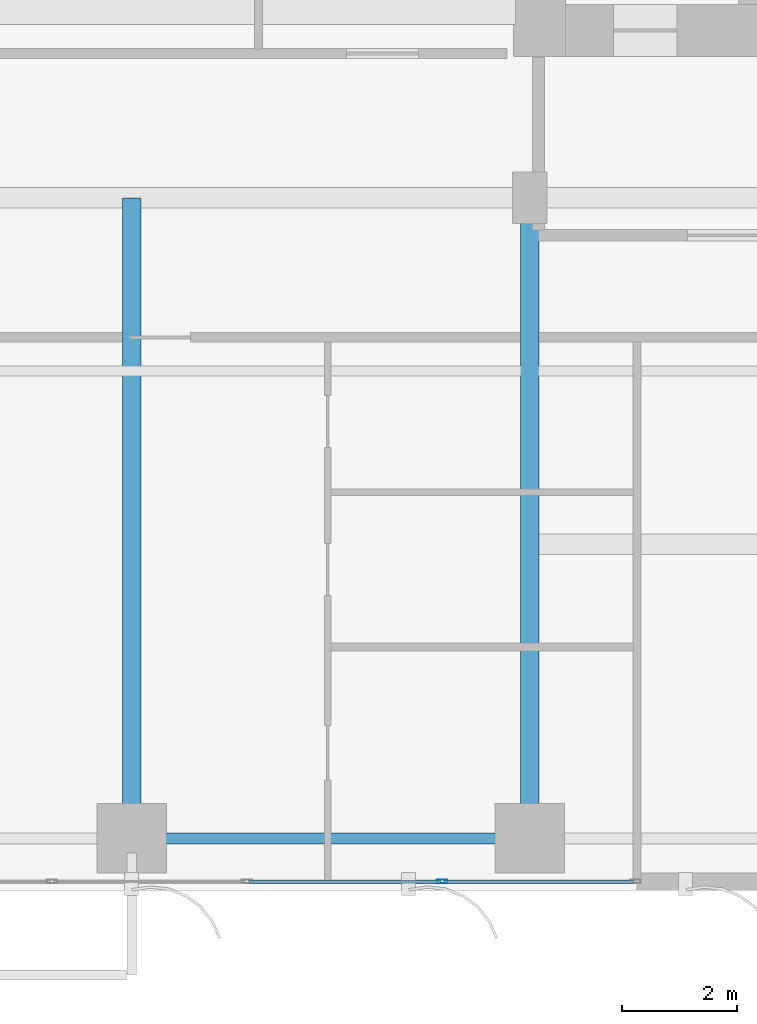
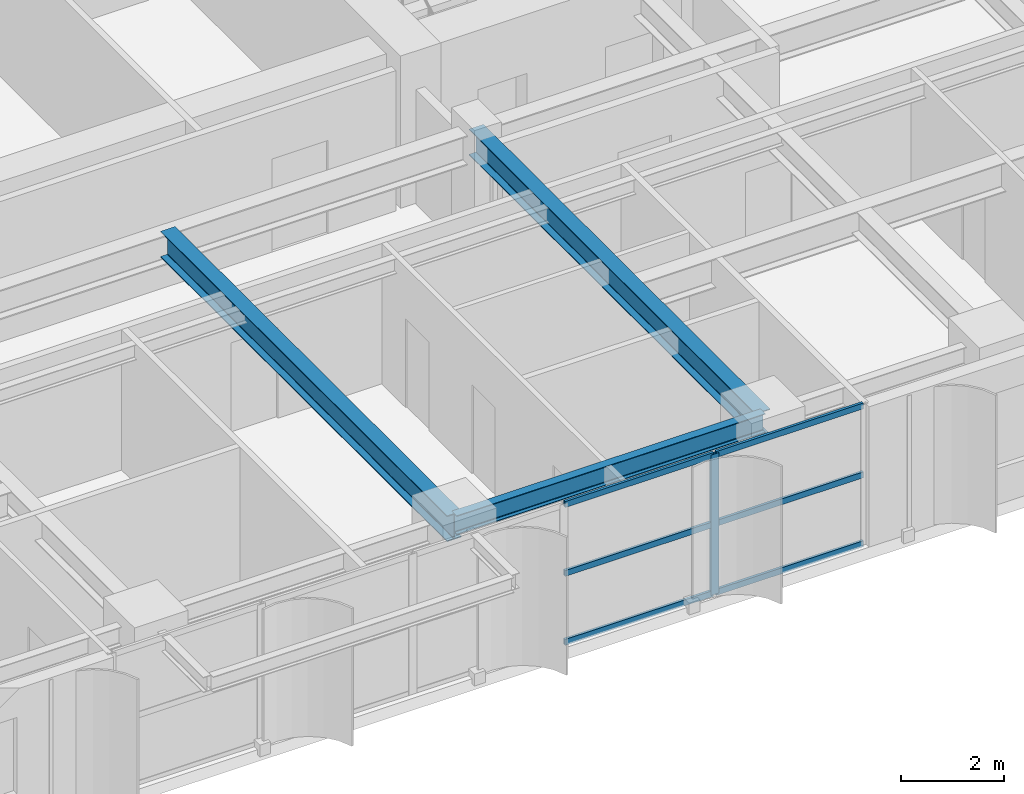
# One storey, part 3 of 25: 7 members, 3 beams, 1 element without a shape of its own.
"""IFC4 building model written with IfcOpenShell, lengths in metres."""

import ifcopenshell
import ifcopenshell.guid

model = None  # the IFC model being written
_history = None  # IfcOwnerHistory: only IFC2X3 demands one
_inside = {}  # id of a spatial element -> (the spatial element, [elements in it])
_under = {}  # id of a project, library or spatial element -> (it, [spatial elements below it])
_declared = {}  # id of a project -> (the project, [libraries it declares])
_typed = {}  # id of a type object -> (the type object, [elements of that type])
_made_of = {}  # id of a material, layer set ... -> (it, [elements and type objects made of it])


def new_model(schema):
    """Start an empty IFC model of exactly this schema.

    Asked for "IFC4X3", IfcOpenShell would pick the latest addendum, in which some entities
    have other attributes; the version numbers below select the first issue.
    IFC2X3 requires an IfcOwnerHistory on every rooted entity: one is made here for all.
    """
    global model, _history
    if schema == "IFC4X3":
        model = ifcopenshell.file(schema_version=(4, 3, 0, 0))
    else:
        model = ifcopenshell.file(schema=schema)
    _inside.clear()
    _under.clear()
    _declared.clear()
    _typed.clear()
    _made_of.clear()
    _history = None
    if model.schema == "IFC2X3":
        org = make("IfcOrganization", Name="unknown")
        user = make(
            "IfcPersonAndOrganization",
            ThePerson=make("IfcPerson", FamilyName="unknown"),
            TheOrganization=org,
        )
        app = make(
            "IfcApplication",
            ApplicationDeveloper=org,
            Version="unknown",
            ApplicationFullName="unknown",
            ApplicationIdentifier="unknown",
        )
        _history = make(
            "IfcOwnerHistory",
            OwningUser=user,
            OwningApplication=app,
            ChangeAction="ADDED",
            CreationDate=0,
        )
    return model


def make(cls, **values):
    """One entity of the class cls with the attributes given. An attribute that is None is left unset."""
    return model.create_entity(
        cls, **{name: value for name, value in values.items() if value is not None}
    )


def rooted(cls, **values):
    """An entity with a GlobalId (a new one), such as an element, a storey or a relation."""
    return make(cls, GlobalId=ifcopenshell.guid.new(), OwnerHistory=_history, **values)


def si_unit(unit_type, name, prefix=None):
    """IfcSIUnit, for example si_unit("LENGTHUNIT", "METRE", prefix="MILLI")."""
    return make("IfcSIUnit", UnitType=unit_type, Prefix=prefix, Name=name)


def assignment(units):
    """IfcUnitAssignment: the units of a project."""
    return None if units is None else make("IfcUnitAssignment", Units=units)


def point(xyz):
    """IfcCartesianPoint."""
    return None if xyz is None else make("IfcCartesianPoint", Coordinates=xyz)


def direction(xyz):
    """IfcDirection."""
    return None if xyz is None else make("IfcDirection", DirectionRatios=xyz)


def frame(location, z_axis=None, x_axis=None):
    """IfcAxis2Placement3D, a coordinate frame: its origin and axes. An axis left out is left unset."""
    return make(
        "IfcAxis2Placement3D",
        Location=point(location),
        Axis=direction(z_axis),
        RefDirection=direction(x_axis),
    )


def frame_2d(location, x_axis=None):
    """IfcAxis2Placement2D, a coordinate frame in the plane: its origin and x axis."""
    return make(
        "IfcAxis2Placement2D", Location=point(location), RefDirection=direction(x_axis)
    )


def origin():
    """The frame at (0, 0, 0) with its axes left unset."""
    return frame((0.0, 0.0, 0.0))


def origin_2d():
    """The frame at (0, 0) in the plane with its x axis left unset."""
    return frame_2d((0.0, 0.0))


def place(relative_to, where):
    """IfcLocalPlacement: puts the frame where relative to a parent placement (None: the world)."""
    return make(
        "IfcLocalPlacement", PlacementRelTo=relative_to, RelativePlacement=where
    )


def context(
    kind, dimensions, precision=None, world=None, true_north=None, identifier=None
):
    """IfcGeometricRepresentationContext, for example the 3D "Model" context."""
    return make(
        "IfcGeometricRepresentationContext",
        ContextIdentifier=identifier,
        ContextType=kind,
        CoordinateSpaceDimension=dimensions,
        Precision=precision,
        WorldCoordinateSystem=world,
        TrueNorth=true_north,
    )


def subcontext(parent, identifier, kind, view, scale=None):
    """IfcGeometricRepresentationSubContext, for example "Body" below "Model"."""
    return make(
        "IfcGeometricRepresentationSubContext",
        ContextIdentifier=identifier,
        ContextType=kind,
        ParentContext=parent,
        TargetScale=scale,
        TargetView=view,
    )


def project(units=None, contexts=None):
    """IfcProject with its units and contexts."""
    return rooted(
        "IfcProject",
        Name="project",
        RepresentationContexts=contexts,
        UnitsInContext=assignment(units),
    )


def spatial(cls, under=None, at=None, **own):
    """A site, building, storey or space (cls), placed at a placement, below another one or the project."""
    s = rooted(cls, ObjectPlacement=at, **own)
    if under is not None:
        _under.setdefault(under.id(), (under, []))[1].append(s)
    return s


def profile(cls, at=None, kind="AREA", **sizes):
    """A parametric profile (cls). Its sizes go by their IFC names, for example OverallWidth=200.0."""
    return make(cls, ProfileType=kind, Position=at, **sizes)


def hollow_rectangle(**sizes):
    """IfcRectangleHollowProfileDef."""
    return profile("IfcRectangleHollowProfileDef", **sizes)


def i_section(**sizes):
    """IfcIShapeProfileDef."""
    return profile("IfcIShapeProfileDef", **sizes)


def extrude(swept, where, along, depth):
    """IfcExtrudedAreaSolid: the profile swept, set in the frame where, extruded along a direction by depth."""
    return make(
        "IfcExtrudedAreaSolid",
        SweptArea=swept,
        Position=where,
        ExtrudedDirection=direction(along),
        Depth=depth,
    )


def shape(context_of_items, identifier, shape_type, items):
    """IfcShapeRepresentation: the items that make up one representation, for example the "Body"."""
    return make(
        "IfcShapeRepresentation",
        ContextOfItems=context_of_items,
        RepresentationIdentifier=identifier,
        RepresentationType=shape_type,
        Items=items,
    )


def source(mapping_origin, context_of_items, identifier, shape_type, items):
    """IfcRepresentationMap: a shape defined once, which mapped items show again and again."""
    return make(
        "IfcRepresentationMap",
        MappingOrigin=mapping_origin,
        MappedRepresentation=shape(context_of_items, identifier, shape_type, items),
    )


def transform(
    local_origin,
    x_axis=None,
    y_axis=None,
    z_axis=None,
    scale=None,
    scale2=None,
    scale3=None,
    uniform=True,
):
    """IfcCartesianTransformationOperator3D, or its non-uniform kind. x_axis, y_axis, z_axis: its Axis1, 2, 3."""
    if uniform:
        return make(
            "IfcCartesianTransformationOperator3D",
            Axis1=direction(x_axis),
            Axis2=direction(y_axis),
            LocalOrigin=point(local_origin),
            Scale=scale,
            Axis3=direction(z_axis),
        )
    return make(
        "IfcCartesianTransformationOperator3DnonUniform",
        Axis1=direction(x_axis),
        Axis2=direction(y_axis),
        LocalOrigin=point(local_origin),
        Scale=scale,
        Axis3=direction(z_axis),
        Scale2=scale2,
        Scale3=scale3,
    )


def mapped(mapping_source, mapping_target):
    """IfcMappedItem: shows the shape of a source again, moved by a transform."""
    return make(
        "IfcMappedItem", MappingSource=mapping_source, MappingTarget=mapping_target
    )


def material(Name=None, Category=None):
    """IfcMaterial."""
    return make("IfcMaterial", Name=Name, Category=Category)


def layer(
    of_material, thickness, ventilated=None, Name=None, Category=None, Priority=None
):
    """IfcMaterialLayer: one layer of a wall or slab, of a material (None: an air gap)."""
    return make(
        "IfcMaterialLayer",
        Material=of_material,
        LayerThickness=thickness,
        IsVentilated=ventilated,
        Name=Name,
        Category=Category,
        Priority=Priority,
    )


def layer_set(layers, Name=None):
    """IfcMaterialLayerSet."""
    return make("IfcMaterialLayerSet", MaterialLayers=layers, LayerSetName=Name)


def material_profile(
    of_material, cross_section, Name=None, Category=None, Priority=None
):
    """IfcMaterialProfile: a cross section and its material."""
    return make(
        "IfcMaterialProfile",
        Name=Name,
        Material=of_material,
        Profile=cross_section,
        Priority=Priority,
        Category=Category,
    )


def profile_set(profiles, Name=None, composite=None):
    """IfcMaterialProfileSet."""
    return make(
        "IfcMaterialProfileSet",
        Name=Name,
        MaterialProfiles=profiles,
        CompositeProfile=composite,
    )


def made_of(thing, what):
    """Note that an element or type object is made of a material, layer set ...; save() writes the relation."""
    if what is not None:
        _made_of.setdefault(what.id(), (what, []))[1].append(thing)
    return thing


def type_object(cls, material=None, **own):
    """A type object (cls), such as IfcWallType, which elements share."""
    return made_of(rooted(cls, **own), material)


def element(
    cls,
    number,
    at=None,
    inside=None,
    cuts=None,
    type_object=None,
    material=None,
    context=None,
    identifier="Body",
    shape_type=None,
    held_by="IfcProductDefinitionShape",
    body=None,
    shapes=None,
    **own,
):
    """One element of the class cls, such as IfcWall. Its Tag is "e" and its number.

    at: its placement. inside: the storey or other place that contains it. cuts: it is an
    opening in that element (IfcRelVoidsElement). A single representation is given by context,
    identifier, shape_type and body (its items); several are given by shapes. held_by: the class
    of the entity that holds the representations. save() writes the other relations.
    """
    e = rooted(cls, Tag="e%d" % number, ObjectPlacement=at, **own)
    if body is not None:
        shapes = [shape(context, identifier, shape_type, body)]
    if shapes is not None:
        e.Representation = make(held_by, Representations=shapes)
    if inside is not None:
        _inside.setdefault(inside.id(), (inside, []))[1].append(e)
    if cuts is not None:
        rooted(
            "IfcRelVoidsElement", RelatingBuildingElement=cuts, RelatedOpeningElement=e
        )
    if type_object is not None:
        _typed.setdefault(type_object.id(), (type_object, []))[1].append(e)
    return made_of(e, material)


def aggregate(whole, parts):
    """IfcRelAggregates: a whole, such as a stair, and the parts it consists of."""
    return rooted("IfcRelAggregates", RelatingObject=whole, RelatedObjects=parts)


def save(model, path):
    """Write the relations noted so far, then the file.

    IfcRelAggregates (storeys below a building ...), IfcRelContainedInSpatialStructure (elements
    in a storey), IfcRelDefinesByType, IfcRelAssociatesMaterial and IfcRelDeclares: one each for
    every whole, place, type object, material and project.
    """
    for whole, parts in _under.values():
        aggregate(whole, parts)
    for where, things in _inside.values():
        rooted(
            "IfcRelContainedInSpatialStructure",
            RelatedElements=things,
            RelatingStructure=where,
        )
    for kind, things in _typed.values():
        rooted("IfcRelDefinesByType", RelatedObjects=things, RelatingType=kind)
    for what, things in _made_of.values():
        rooted("IfcRelAssociatesMaterial", RelatedObjects=things, RelatingMaterial=what)
    for by, libraries in _declared.values():
        rooted("IfcRelDeclares", RelatingContext=by, RelatedDefinitions=libraries)
    model.write(path)


model = new_model("IFC4")

# Units and contexts
model_context = context("Model", 3, precision=1e-05, world=origin(), true_north=direction((0.0, 1.0)))
body_context = subcontext(model_context, "Body", "Model", "MODEL_VIEW")
ifc_project = project(units=[si_unit("LENGTHUNIT", "METRE"), si_unit("AREAUNIT", "SQUARE_METRE"), si_unit("VOLUMEUNIT", "CUBIC_METRE"), si_unit("PLANEANGLEUNIT", "RADIAN"), si_unit("MASSUNIT", "GRAM", prefix="KILO")], contexts=[model_context])

# Site, building, storey
site_placement = place(None, origin())
site = spatial("IfcSite", under=ifc_project, at=site_placement, CompositionType="ELEMENT")
building_placement = place(site_placement, origin())
building = spatial("IfcBuilding", under=site, at=building_placement, Name="Khoralis Quay Care Tower", CompositionType="ELEMENT")
storey_placement = place(building_placement, frame((0.0, 0.0, 65.699951171875)))
storey = spatial("IfcBuildingStorey", under=building, at=storey_placement, Name="L17", CompositionType="ELEMENT", Elevation=65.699951171875)

# Beams
ifc_material_1 = material(Name="Steel S355", Category="steel")
ifc_material_profile_1 = material_profile(ifc_material_1, i_section(OverallWidth=0.18994140625, OverallDepth=0.449951171875, WebThickness=0.009521484375, FlangeThickness=0.0146484375, FilletRadius=0.02099609375, at=origin_2d()), Name="Steel S355")
ifc_profile_set_1 = profile_set([ifc_material_profile_1], Name="Steel S355")
beam_type_1 = type_object("IfcBeamType", Name="BM-IPE450", PredefinedType="SPANDREL", material=ifc_profile_set_1)
shared_shape_1 = source(origin(), body_context, "Body", "SweptSolid", [
    extrude(i_section(OverallWidth=0.18994140625, OverallDepth=0.449951171875, WebThickness=0.009521484375, FlangeThickness=0.0146484375, FilletRadius=0.02099609375, at=origin_2d()), origin(), (0.0, 0.0, 1.0), 6.89990234375),
])
beam_placement = place(storey_placement, frame((24.0, 0.89990234375, 3.094970703125), z_axis=(1.0, 0.0, 0.0), x_axis=(0.0, 1.0, 0.0)))
element("IfcBeam", 1, at=beam_placement, inside=storey, type_object=beam_type_1, Name="BM-TSP-L17-04", PredefinedType="SPANDREL", context=body_context, shape_type="MappedRepresentation", body=[
    mapped(shared_shape_1, transform((0.0, 0.0, 0.0), scale=1.0)),
])
ifc_material_profile_2 = material_profile(ifc_material_1, i_section(OverallWidth=0.324951171875, OverallDepth=0.615966796875, WebThickness=0.013916015625, FlangeThickness=0.021484375, FilletRadius=0.01806640625, at=origin_2d()), Name="Steel S355")
ifc_profile_set_2 = profile_set([ifc_material_profile_2], Name="Steel S355")
beam_type_2 = type_object("IfcBeamType", Name="BM-W610X174", PredefinedType="BEAM", material=ifc_profile_set_2)
shared_shape_2 = source(origin(), body_context, "Body", "SweptSolid", [
    extrude(i_section(OverallWidth=0.324951171875, OverallDepth=0.615966796875, WebThickness=0.013916015625, FlangeThickness=0.021484375, FilletRadius=0.01806640625, at=origin_2d()), origin(), (0.0, 0.0, 1.0), 11.10009765625),
])
for number, where, z_axis, x_axis, name in (
    (2, (24.0, 0.89990234375, 3.011962890625), (0.0, 1.0, 0.0), (-1.0, 0.0, 0.0), "BM-TGYS-L17-240"),
    (3, (30.89990234375, 0.89990234375, 3.011962890625), (0.0, 1.0, 0.0), (-1.0, 0.0, 0.0), "BM-TGYS-L17-309"),
):
    element("IfcBeam", number, at=place(storey_placement, frame(where, z_axis=z_axis, x_axis=x_axis)), inside=storey, type_object=beam_type_2, Name=name, PredefinedType="BEAM", context=body_context, shape_type="MappedRepresentation", body=[
        mapped(shared_shape_2, transform((0.0, 0.0, 0.0), scale=1.0)),
    ])

# Curtain wall, members
ifc_material_2 = material(Name="Pale anodised aluminium", Category="aluminium")
ifc_layer = layer(ifc_material_2, 0.179931640625)
ifc_layer_set = layer_set([ifc_layer], Name="Pale anodised aluminium")
curtain_wall_type = type_object("IfcCurtainWallType", Name="CW-SYS-Z1", PredefinedType="NOTDEFINED", material=ifc_layer_set)
curtain_wall_placement = place(storey_placement, origin())
curtain_wall = element("IfcCurtainWall", 4, at=curtain_wall_placement, inside=storey, type_object=curtain_wall_type, Name="L17 Unitised Curtain Wall CW-L17-P1-E0", PredefinedType="NOTDEFINED")
ifc_material_profile_3 = material_profile(ifc_material_2, hollow_rectangle(XDim=0.06494140625, YDim=0.179931640625, WallThickness=0.00390625, at=origin_2d()), Name="Pale anodised aluminium")
ifc_profile_set_3 = profile_set([ifc_material_profile_3], Name="Pale anodised aluminium")
member_type_1 = type_object("IfcMemberType", Name="CW-MUL-180", PredefinedType="MULLION", material=ifc_profile_set_3)
shared_shape_3 = source(origin(), body_context, "Body", "SweptSolid", [
    extrude(hollow_rectangle(XDim=0.06494140625, YDim=0.179931640625, WallThickness=0.00390625, at=origin_2d()), origin(), (0.0, 0.0, 1.0), 3.320068359375),
])
member_1_placement = place(storey_placement, frame((29.3798828125, 0.14990234375, 0.0), z_axis=(0.0, 0.0, 1.0), x_axis=(0.0, 1.0, 0.0)))
member_1 = element("IfcMember", 5, at=member_1_placement, type_object=member_type_1, Name="CW1 mullion 5", PredefinedType="MULLION", context=body_context, shape_type="MappedRepresentation", body=[
    mapped(shared_shape_3, transform((0.0, 0.0, 0.0), scale=1.0)),
])
ifc_material_profile_4 = material_profile(ifc_material_2, hollow_rectangle(XDim=0.06005859375, YDim=0.139892578125, WallThickness=0.00390625, at=origin_2d()), Name="Pale anodised aluminium")
ifc_profile_set_4 = profile_set([ifc_material_profile_4], Name="Pale anodised aluminium")
member_type_2 = type_object("IfcMemberType", Name="CW-TRN-140", PredefinedType="USERDEFINED", material=ifc_profile_set_4)
shared_shape_4 = source(origin(), body_context, "Body", "SweptSolid", [
    extrude(hollow_rectangle(XDim=0.06005859375, YDim=0.139892578125, WallThickness=0.00390625, at=origin_2d()), origin(), (0.0, 0.0, 1.0), 3.3203125),
])
member_2_placement = place(storey_placement, frame((26.029541015625, 0.14990234375, 0.030029296875), z_axis=(1.0, 0.0, 0.0), x_axis=(0.0, 1.0, 0.0)))
member_2 = element("IfcMember", 6, at=member_2_placement, type_object=member_type_2, Name="CW1 transom 4.1", ObjectType="TRANSOM", PredefinedType="USERDEFINED", context=body_context, shape_type="MappedRepresentation", body=[
    mapped(shared_shape_4, transform((0.0, 0.0, 0.0), scale=1.0)),
])
member_3_placement = place(storey_placement, frame((26.029541015625, 0.14990234375, 1.66015625), z_axis=(1.0, 0.0, 0.0), x_axis=(0.0, 1.0, 0.0)))
member_3 = element("IfcMember", 7, at=member_3_placement, type_object=member_type_2, Name="CW1 transom 4.2", ObjectType="TRANSOM", PredefinedType="USERDEFINED", context=body_context, shape_type="MappedRepresentation", body=[
    mapped(shared_shape_4, transform((0.0, 0.0, 0.0), scale=1.0)),
])
member_4_placement = place(storey_placement, frame((26.029541015625, 0.14990234375, 3.2900390625), z_axis=(1.0, 0.0, 0.0), x_axis=(0.0, 1.0, 0.0)))
member_4 = element("IfcMember", 8, at=member_4_placement, type_object=member_type_2, Name="CW1 transom 4.3", ObjectType="TRANSOM", PredefinedType="USERDEFINED", context=body_context, shape_type="MappedRepresentation", body=[
    mapped(shared_shape_4, transform((0.0, 0.0, 0.0), scale=1.0)),
])
shared_shape_5 = source(origin(), body_context, "Body", "SweptSolid", [
    extrude(hollow_rectangle(XDim=0.06005859375, YDim=0.139892578125, WallThickness=0.00390625, at=origin_2d()), origin(), (0.0, 0.0, 1.0), 3.2900390625),
])
member_5_placement = place(storey_placement, frame((29.409912109375, 0.14990234375, 0.030029296875), z_axis=(1.0, 0.0, 0.0), x_axis=(0.0, 1.0, 0.0)))
member_5 = element("IfcMember", 9, at=member_5_placement, type_object=member_type_2, Name="CW1 transom 5.1", ObjectType="TRANSOM", PredefinedType="USERDEFINED", context=body_context, shape_type="MappedRepresentation", body=[
    mapped(shared_shape_5, transform((0.0, 0.0, 0.0), scale=1.0)),
])
member_6_placement = place(storey_placement, frame((29.409912109375, 0.14990234375, 1.66015625), z_axis=(1.0, 0.0, 0.0), x_axis=(0.0, 1.0, 0.0)))
member_6 = element("IfcMember", 10, at=member_6_placement, type_object=member_type_2, Name="CW1 transom 5.2", ObjectType="TRANSOM", PredefinedType="USERDEFINED", context=body_context, shape_type="MappedRepresentation", body=[
    mapped(shared_shape_5, transform((0.0, 0.0, 0.0), scale=1.0)),
])
member_7_placement = place(storey_placement, frame((29.409912109375, 0.14990234375, 3.2900390625), z_axis=(1.0, 0.0, 0.0), x_axis=(0.0, 1.0, 0.0)))
member_7 = element("IfcMember", 11, at=member_7_placement, type_object=member_type_2, Name="CW1 transom 5.3", ObjectType="TRANSOM", PredefinedType="USERDEFINED", context=body_context, shape_type="MappedRepresentation", body=[
    mapped(shared_shape_5, transform((0.0, 0.0, 0.0), scale=1.0)),
])
aggregate(curtain_wall, [member_1, member_2, member_3, member_4, member_5, member_6, member_7])

save(model, "model.ifc")
